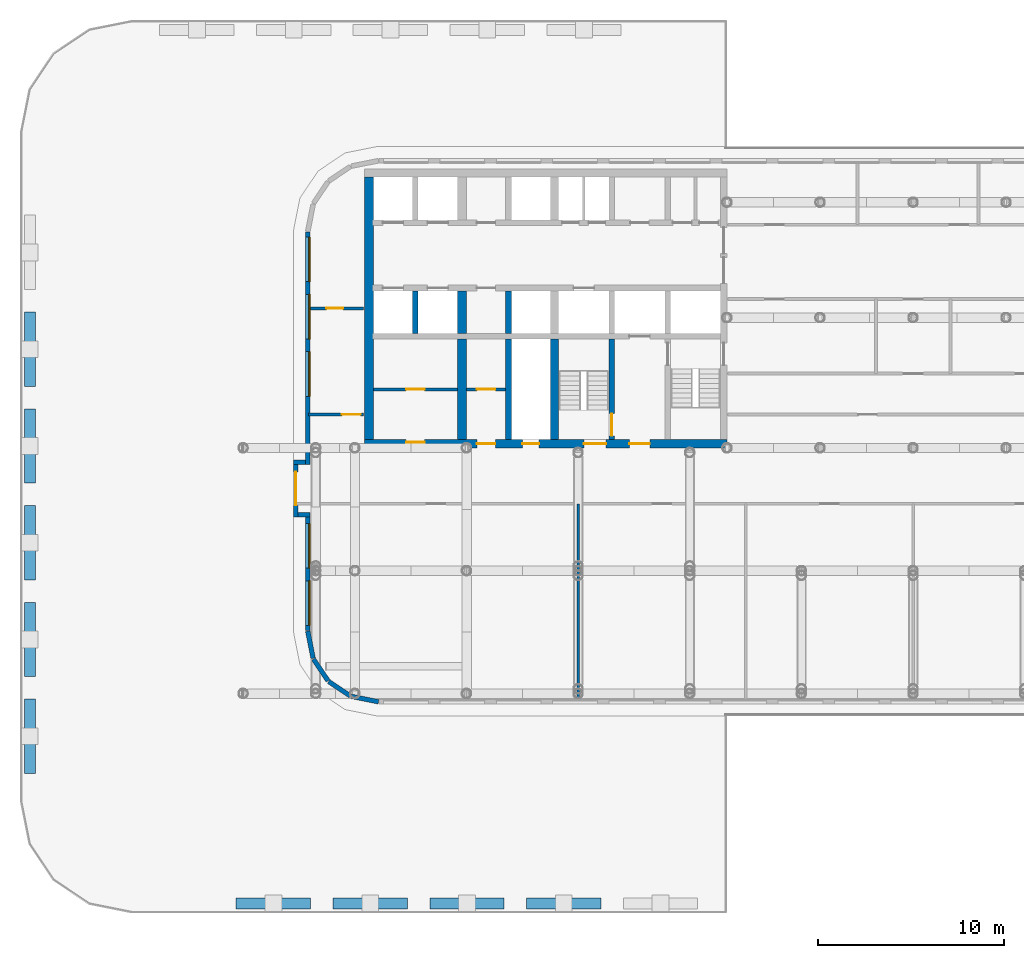
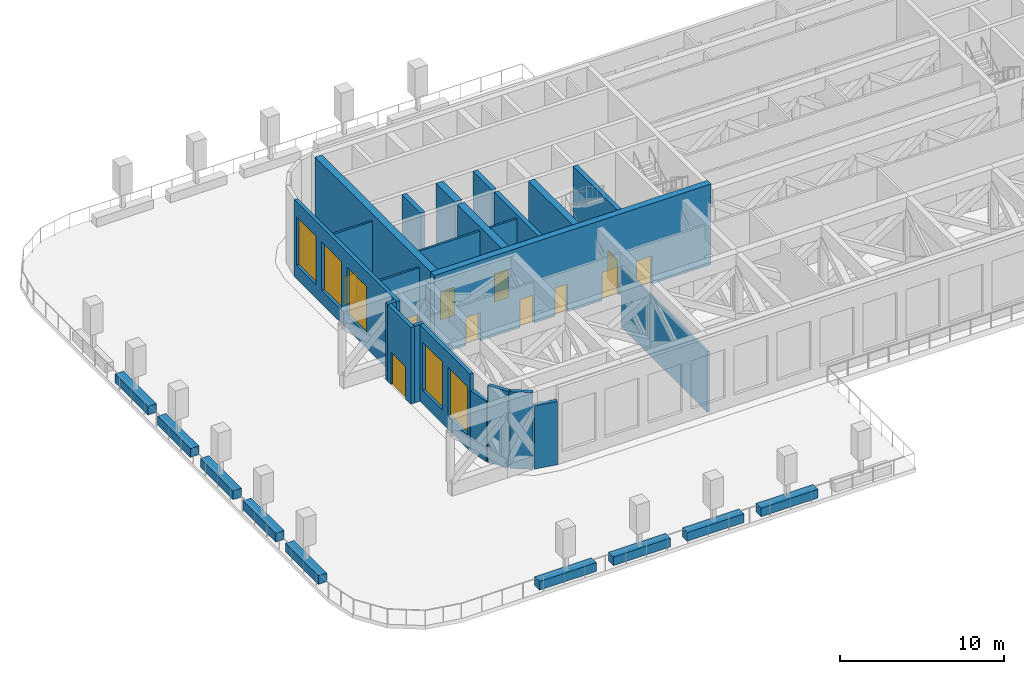
# One storey, part 9 of 20: 32 walls, 11 doors, 5 windows, 16 openings.
"""IFC4 building model written with IfcOpenShell, lengths in metres."""

from ifc_helpers import new_model, si_unit, direction, frame, frame_2d, origin, place, context, subcontext, project, spatial, rectangle, extrude, material, layer, layer_set, type_object, element, fill, save


model = new_model("IFC4")

# Units and contexts
model_context = context("Model", 3, precision=1e-05, world=origin(), true_north=direction((0.0, 1.0)))
body_context = subcontext(model_context, "Body", "Model", "MODEL_VIEW")
ifc_project = project(units=[si_unit("LENGTHUNIT", "METRE"), si_unit("AREAUNIT", "SQUARE_METRE"), si_unit("VOLUMEUNIT", "CUBIC_METRE"), si_unit("PLANEANGLEUNIT", "RADIAN"), si_unit("MASSUNIT", "GRAM", prefix="KILO")], contexts=[model_context])

# Site, building, storey
site_placement = place(None, origin())
site = spatial("IfcSite", under=ifc_project, at=site_placement, CompositionType="ELEMENT")
building_placement = place(site_placement, origin())
building = spatial("IfcBuilding", under=site, at=building_placement, Name="Torana Hotel and Residences", CompositionType="ELEMENT")
storey_placement = place(building_placement, frame((0.0, 0.0, 18.0)))
storey = spatial("IfcBuildingStorey", under=building, at=storey_placement, Name="L03", CompositionType="ELEMENT", Elevation=18.0)

# Wall, opening, door
ifc_material_1 = material(Name="Concrete C80/95", Category="concrete")
ifc_layer_1 = layer(ifc_material_1, 0.300048828125)
ifc_layer_set_1 = layer_set([ifc_layer_1], Name="CORE WALL 300 C80/95")
wall_type_1 = type_object("IfcWallType", Name="CORE WALL 300 C80/95", PredefinedType="SHEAR", material=ifc_layer_set_1)
wall_1_placement = place(storey_placement, frame((-16.199951171875, -14.550048828125, 0.0), z_axis=(0.0, 0.0, 1.0), x_axis=(0.0, 1.0, 0.0)))
wall_1 = element("IfcWall", 1, at=wall_1_placement, inside=storey, type_object=wall_type_1, Name="Core wall W x6.05-band", PredefinedType="SHEAR", context=body_context, shape_type="SweptSolid", body=[
    extrude(rectangle(XDim=5.400146484375, YDim=0.300048828125, at=frame_2d((2.7001953125, 0.0))), origin(), (0.0, 0.0, 1.0), 6.0),
])
opening_1_placement = place(wall_1_placement, frame((0.199951171875, 0.0, 0.0)))
opening_1 = element("IfcOpeningElement", 2, at=opening_1_placement, cuts=wall_1, Name="Opening L03-17", PredefinedType="OPENING", context=body_context, shape_type="SweptSolid", body=[
    extrude(rectangle(XDim=1.199951171875, YDim=2.10009765625, at=frame_2d((0.60009765625, 1.050048828125))), frame((0.0, 0.159912109375, 0.0), z_axis=(0.0, -1.0, 0.0), x_axis=(1.0, 0.0, 0.0)), (0.0, 0.0, 1.0), 0.320068359375),
])
ifc_material_2 = material(Name="Steel S235", Category="steel")
door_type_1 = type_object("IfcDoorType", Name="STAIR FIRE DOOR D3 1200x2100", OperationType="SINGLE_SWING_LEFT", PredefinedType="DOOR", material=ifc_material_2)
door_1_placement = place(opening_1_placement, origin())
door_1 = element("IfcDoor", 3, at=door_1_placement, inside=storey, type_object=door_type_1, Name="Stair-B-lobby door L03", OperationType="SINGLE_SWING_RIGHT", OverallHeight=2.10009765625, OverallWidth=1.199951171875, PredefinedType="DOOR", context=body_context, shape_type="SweptSolid", body=[
    extrude(rectangle(XDim=1.199951171875, YDim=2.10009765625, at=frame_2d((0.60009765625, 1.050048828125))), frame((0.0, 0.02490234375, 0.0), z_axis=(0.0, -1.0, 0.0), x_axis=(1.0, 0.0, 0.0)), (0.0, 0.0, 1.0), 0.050048828125),
])
fill(opening_1, door_1)

# Walls
wall_2_placement = place(storey_placement, frame((-21.75, -8.85009765625, 0.0), z_axis=(0.0, 0.0, 1.0), x_axis=(0.0, 1.0, 0.0)))
element("IfcWall", 4, at=wall_2_placement, inside=storey, type_object=wall_type_1, Name="Core wall W mm-S", PredefinedType="SHEAR", context=body_context, shape_type="SweptSolid", body=[
    extrude(rectangle(XDim=2.300048828125, YDim=0.300048828125, at=frame_2d((1.14990234375, 0.0))), origin(), (0.0, 0.0, 1.0), 6.0),
])
wall_3_placement = place(storey_placement, frame((-21.75, -14.550048828125, 0.0), z_axis=(0.0, 0.0, 1.0), x_axis=(0.0, 1.0, 0.0)))
element("IfcWall", 5, at=wall_3_placement, inside=storey, type_object=wall_type_1, Name="Core wall W mm-band", PredefinedType="SHEAR", context=body_context, shape_type="SweptSolid", body=[
    extrude(rectangle(XDim=5.400146484375, YDim=0.300048828125, at=frame_2d((2.7001953125, 0.0))), origin(), (0.0, 0.0, 1.0), 6.0),
])
wall_4_placement = place(storey_placement, frame((-26.75, -8.85009765625, 0.0), z_axis=(0.0, 0.0, 1.0), x_axis=(0.0, 1.0, 0.0)))
element("IfcWall", 6, at=wall_4_placement, inside=storey, type_object=wall_type_1, Name="Core wall W ll-S", PredefinedType="SHEAR", context=body_context, shape_type="SweptSolid", body=[
    extrude(rectangle(XDim=2.300048828125, YDim=0.300048828125, at=frame_2d((1.14990234375, 0.0))), origin(), (0.0, 0.0, 1.0), 6.0),
])

# Wall, openings, doors
ifc_material_3 = material(Name="Concrete C80/95", Category="concrete")
ifc_layer_2 = layer(ifc_material_3, 0.449951171875)
ifc_layer_set_2 = layer_set([ifc_layer_2], Name="CORE WALL 450 C80/95")
wall_type_2 = type_object("IfcWallType", Name="CORE WALL 450 C80/95", PredefinedType="SHEAR", material=ifc_layer_set_2)
wall_5_placement = place(storey_placement, frame((-29.5, -14.77490234375, 0.0), z_axis=(0.0, 0.0, 1.0), x_axis=(1.0, 0.0, 0.0)))
wall_5 = element("IfcWall", 7, at=wall_5_placement, inside=storey, type_object=wall_type_2, Name="Core wall W front", PredefinedType="SHEAR", context=body_context, shape_type="SweptSolid", body=[
    extrude(rectangle(XDim=19.5, YDim=0.449951171875, at=frame_2d((9.75, 0.0))), origin(), (0.0, 0.0, 1.0), 6.0),
])
opening_2_placement = place(wall_5_placement, frame((11.800048828125, 0.0, 0.0)))
opening_2 = element("IfcOpeningElement", 8, at=opening_2_placement, cuts=wall_5, Name="Opening L03-04", PredefinedType="OPENING", context=body_context, shape_type="SweptSolid", body=[
    extrude(rectangle(XDim=1.199951171875, YDim=2.10009765625, at=frame_2d((0.60009765625, 1.050048828125))), frame((0.0, 0.23486328125, 0.0), z_axis=(0.0, -1.0, 0.0), x_axis=(1.0, 0.0, 0.0)), (0.0, 0.0, 1.0), 0.469970703125),
])
opening_3_placement = place(wall_5_placement, frame((14.25, 0.0, 0.0)))
opening_3 = element("IfcOpeningElement", 9, at=opening_3_placement, cuts=wall_5, Name="Opening L03-05", PredefinedType="OPENING", context=body_context, shape_type="SweptSolid", body=[
    extrude(rectangle(XDim=1.10009765625, YDim=2.10009765625, at=frame_2d((0.550048828125, 1.050048828125))), frame((0.0, 0.23486328125, 0.0), z_axis=(0.0, -1.0, 0.0), x_axis=(1.0, 0.0, 0.0)), (0.0, 0.0, 1.0), 0.469970703125),
])
opening_4_placement = place(wall_5_placement, frame((8.5, 0.0, 0.0)))
opening_4 = element("IfcOpeningElement", 10, at=opening_4_placement, cuts=wall_5, Name="Opening L03-06", PredefinedType="OPENING", context=body_context, shape_type="SweptSolid", body=[
    extrude(rectangle(XDim=0.89990234375, YDim=2.10009765625, at=frame_2d((0.449951171875, 1.050048828125))), frame((0.0, 0.23486328125, 0.0), z_axis=(0.0, -1.0, 0.0), x_axis=(1.0, 0.0, 0.0)), (0.0, 0.0, 1.0), 0.469970703125),
])
opening_5_placement = place(wall_5_placement, frame((6.050048828125, 0.0, 0.0)))
opening_5 = element("IfcOpeningElement", 11, at=opening_5_placement, cuts=wall_5, Name="Opening L03-07", PredefinedType="OPENING", context=body_context, shape_type="SweptSolid", body=[
    extrude(rectangle(XDim=1.0, YDim=2.10009765625, at=frame_2d((0.5, 1.050048828125))), frame((0.0, 0.23486328125, 0.0), z_axis=(0.0, -1.0, 0.0), x_axis=(1.0, 0.0, 0.0)), (0.0, 0.0, 1.0), 0.469970703125),
])
opening_6_placement = place(wall_5_placement, frame((2.25, 0.0, 0.0)))
opening_6 = element("IfcOpeningElement", 12, at=opening_6_placement, cuts=wall_5, Name="Opening L03-08", PredefinedType="OPENING", context=body_context, shape_type="SweptSolid", body=[
    extrude(rectangle(XDim=1.0, YDim=2.10009765625, at=frame_2d((0.5, 1.050048828125))), frame((0.0, 0.23486328125, 0.0), z_axis=(0.0, -1.0, 0.0), x_axis=(1.0, 0.0, 0.0)), (0.0, 0.0, 1.0), 0.469970703125),
])
ifc_material_4 = material(Name="Steel S235", Category="steel")
door_type_2 = type_object("IfcDoorType", Name="CORE ROOM FIRE DOOR D14 1000x2100", OperationType="SINGLE_SWING_LEFT", PredefinedType="DOOR", material=ifc_material_4)
door_2_placement = place(opening_5_placement, origin())
door_2 = element("IfcDoor", 13, at=door_2_placement, inside=storey, type_object=door_type_2, Name="M-Room-B door L03", OperationType="SINGLE_SWING_RIGHT", OverallHeight=2.10009765625, OverallWidth=1.0, PredefinedType="DOOR", context=body_context, shape_type="SweptSolid", body=[
    extrude(rectangle(XDim=1.0, YDim=2.10009765625, at=frame_2d((0.5, 1.050048828125))), frame((0.0, 0.02490234375, 0.0), z_axis=(0.0, -1.0, 0.0), x_axis=(1.0, 0.0, 0.0)), (0.0, 0.0, 1.0), 0.050048828125),
])
fill(opening_5, door_2)
door_3_placement = place(opening_6_placement, origin())
door_3 = element("IfcDoor", 14, at=door_3_placement, inside=storey, type_object=door_type_2, Name="L-B door L03", OperationType="SINGLE_SWING_RIGHT", OverallHeight=2.10009765625, OverallWidth=1.0, PredefinedType="DOOR", context=body_context, shape_type="SweptSolid", body=[
    extrude(rectangle(XDim=1.0, YDim=2.10009765625, at=frame_2d((0.5, 1.050048828125))), frame((0.0, 0.10498046875, 0.0), z_axis=(0.0, -1.0, 0.0), x_axis=(1.0, 0.0, 0.0)), (0.0, 0.0, 1.0), 0.050048828125),
])
fill(opening_6, door_3)
ifc_material_5 = material(Name="Steel S235", Category="steel")
door_type_3 = type_object("IfcDoorType", Name="FIRE-FIGHTING LOBBY DOOR D8 1100x2100", OperationType="SINGLE_SWING_LEFT", PredefinedType="DOOR", material=ifc_material_5)
door_4_placement = place(opening_3_placement, origin())
door_4 = element("IfcDoor", 15, at=door_4_placement, inside=storey, type_object=door_type_3, Name="FF-lobby door L03", OperationType="SINGLE_SWING_RIGHT", OverallHeight=2.10009765625, OverallWidth=1.10009765625, PredefinedType="DOOR", context=body_context, shape_type="SweptSolid", body=[
    extrude(rectangle(XDim=1.10009765625, YDim=2.10009765625, at=frame_2d((0.550048828125, 1.050048828125))), frame((0.0, 0.02490234375, 0.0), z_axis=(0.0, -1.0, 0.0), x_axis=(1.0, 0.0, 0.0)), (0.0, 0.0, 1.0), 0.050048828125),
])
fill(opening_3, door_4)
ifc_material_6 = material(Name="Steel S235", Category="steel")
door_type_4 = type_object("IfcDoorType", Name="RISER ACCESS DOOR D5 900x2100", OperationType="SINGLE_SWING_LEFT", PredefinedType="DOOR", material=ifc_material_6)
door_5_placement = place(opening_4_placement, origin())
door_5 = element("IfcDoor", 16, at=door_5_placement, inside=storey, type_object=door_type_4, Name="M-Riser door L03", OperationType="SINGLE_SWING_RIGHT", OverallHeight=2.10009765625, OverallWidth=0.89990234375, PredefinedType="DOOR", context=body_context, shape_type="SweptSolid", body=[
    extrude(rectangle(XDim=0.89990234375, YDim=2.10009765625, at=frame_2d((0.449951171875, 1.050048828125))), frame((0.0, 0.02490234375, 0.0), z_axis=(0.0, -1.0, 0.0), x_axis=(1.0, 0.0, 0.0)), (0.0, 0.0, 1.0), 0.050048828125),
])
fill(opening_4, door_5)
door_6_placement = place(opening_2_placement, origin())
door_6 = element("IfcDoor", 17, at=door_6_placement, inside=storey, type_object=door_type_1, Name="Stair-B door L03", OperationType="SINGLE_SWING_LEFT", OverallHeight=2.10009765625, OverallWidth=1.199951171875, PredefinedType="DOOR", context=body_context, shape_type="SweptSolid", body=[
    extrude(rectangle(XDim=1.199951171875, YDim=2.10009765625, at=frame_2d((0.60009765625, 1.050048828125))), frame((0.0, 0.02490234375, 0.0), z_axis=(0.0, -1.0, 0.0), x_axis=(1.0, 0.0, 0.0)), (0.0, 0.0, 1.0), 0.050048828125),
])
fill(opening_2, door_6)

# Walls
wall_6_placement = place(storey_placement, frame((-19.27490234375, -14.550048828125, 0.0), z_axis=(0.0, 0.0, 1.0), x_axis=(0.0, 1.0, 0.0)))
element("IfcWall", 18, at=wall_6_placement, inside=storey, type_object=wall_type_2, Name="Core wall W hm-band", PredefinedType="SHEAR", context=body_context, shape_type="SweptSolid", body=[
    extrude(rectangle(XDim=5.400146484375, YDim=0.449951171875, at=frame_2d((2.7001953125, 0.0))), origin(), (0.0, 0.0, 1.0), 6.0),
])
ifc_material_7 = material(Name="Concrete C80/95", Category="concrete")
ifc_layer_3 = layer(ifc_material_7, 0.5)
ifc_layer_set_3 = layer_set([ifc_layer_3], Name="CORE WALL 500 C80/95")
wall_type_3 = type_object("IfcWallType", Name="CORE WALL 500 C80/95", PredefinedType="SHEAR", material=ifc_layer_set_3)
wall_7_placement = place(storey_placement, frame((-29.25, -14.550048828125, 0.0), z_axis=(0.0, 0.0, 1.0), x_axis=(0.0, 1.0, 0.0)))
element("IfcWall", 19, at=wall_7_placement, inside=storey, type_object=wall_type_3, Name="Core wall W outer", PredefinedType="SHEAR", context=body_context, shape_type="SweptSolid", body=[
    extrude(rectangle(XDim=14.10009765625, YDim=0.5, at=frame_2d((7.050048828125, 0.0))), origin(), (0.0, 0.0, 1.0), 6.0),
])
wall_8_placement = place(storey_placement, frame((-24.25, -8.85009765625, 0.0), z_axis=(0.0, 0.0, 1.0), x_axis=(0.0, 1.0, 0.0)))
element("IfcWall", 20, at=wall_8_placement, inside=storey, type_object=wall_type_3, Name="Core wall W ml-S", PredefinedType="SHEAR", context=body_context, shape_type="SweptSolid", body=[
    extrude(rectangle(XDim=2.300048828125, YDim=0.5, at=frame_2d((1.14990234375, 0.0))), origin(), (0.0, 0.0, 1.0), 6.0),
])
wall_9_placement = place(storey_placement, frame((-24.25, -14.550048828125, 0.0), z_axis=(0.0, 0.0, 1.0), x_axis=(0.0, 1.0, 0.0)))
element("IfcWall", 21, at=wall_9_placement, inside=storey, type_object=wall_type_3, Name="Core wall W ml-band", PredefinedType="SHEAR", context=body_context, shape_type="SweptSolid", body=[
    extrude(rectangle(XDim=5.400146484375, YDim=0.5, at=frame_2d((2.7001953125, 0.0))), origin(), (0.0, 0.0, 1.0), 6.0),
])

# Wall, openings, windows
ifc_material_8 = material(Name="Aluminium louvre wall", Category="aluminium")
ifc_layer_4 = layer(ifc_material_8, 0.25)
ifc_layer_set_4 = layer_set([ifc_layer_4], Name="EW3 LOUVRE WALL 250")
wall_type_4 = type_object("IfcWallType", Name="EW3 LOUVRE WALL 250", PredefinedType="SOLIDWALL", material=ifc_layer_set_4)
wall_10_placement = place(storey_placement, frame((-32.5390625, -3.38720703125, 0.0), z_axis=(0.0, 0.0, 1.0), x_axis=(0.0, -1.0, 0.0)))
wall_10 = element("IfcWall", 22, at=wall_10_placement, inside=storey, type_object=wall_type_4, Name="Louvre wall L03 e0.9a", PredefinedType="SOLIDWALL", context=body_context, shape_type="SweptSolid", body=[
    extrude(rectangle(XDim=12.502197265625, YDim=0.25, at=frame_2d((6.2509765625, 0.0))), origin(), (0.0, 0.0, 1.0), 5.719970703125),
])
opening_7_placement = place(wall_10_placement, frame((0.276611328125, 0.0, 1.0048828125)))
opening_7 = element("IfcOpeningElement", 23, at=opening_7_placement, cuts=wall_10, Name="Opening LV2", PredefinedType="OPENING", context=body_context, shape_type="SweptSolid", body=[
    extrude(rectangle(XDim=2.39990234375, YDim=3.60009765625, at=frame_2d((1.199951171875, 1.800048828125))), frame((0.0, 0.135009765625, 0.0), z_axis=(0.0, -1.0, 0.0), x_axis=(1.0, 0.0, 0.0)), (0.0, 0.0, 1.0), 0.27001953125),
])
opening_8_placement = place(wall_10_placement, frame((3.35546875, 0.0, 1.0048828125)))
opening_8 = element("IfcOpeningElement", 24, at=opening_8_placement, cuts=wall_10, Name="Opening LV2", PredefinedType="OPENING", context=body_context, shape_type="SweptSolid", body=[
    extrude(rectangle(XDim=2.39990234375, YDim=3.60009765625, at=frame_2d((1.199951171875, 1.800048828125))), frame((0.0, 0.135009765625, 0.0), z_axis=(0.0, -1.0, 0.0), x_axis=(1.0, 0.0, 0.0)), (0.0, 0.0, 1.0), 0.27001953125),
])
opening_9_placement = place(wall_10_placement, frame((6.43408203125, 0.0, 1.0048828125)))
opening_9 = element("IfcOpeningElement", 25, at=opening_9_placement, cuts=wall_10, Name="Opening LV2", PredefinedType="OPENING", context=body_context, shape_type="SweptSolid", body=[
    extrude(rectangle(XDim=2.39990234375, YDim=3.60009765625, at=frame_2d((1.199951171875, 1.800048828125))), frame((0.0, 0.135009765625, 0.0), z_axis=(0.0, -1.0, 0.0), x_axis=(1.0, 0.0, 0.0)), (0.0, 0.0, 1.0), 0.27001953125),
])
ifc_material_9 = material(Name="Aluminium louvre blades", Category="aluminium")
window_type = type_object("IfcWindowType", Name="LV2 LOUVRE 2400x3600", PartitioningType="SINGLE_PANEL", PredefinedType="USERDEFINED", material=ifc_material_9)
window_1_placement = place(opening_7_placement, origin())
window_1 = element("IfcWindow", 26, at=window_1_placement, inside=storey, type_object=window_type, Name="Louvre L03", ObjectType="LOUVRE", OverallHeight=3.60009765625, OverallWidth=2.39990234375, PartitioningType="SINGLE_PANEL", PredefinedType="USERDEFINED", context=body_context, shape_type="SweptSolid", body=[
    extrude(rectangle(XDim=2.39990234375, YDim=3.60009765625, at=frame_2d((1.199951171875, 1.800048828125))), frame((0.0, 0.125, 0.0), z_axis=(0.0, -1.0, 0.0), x_axis=(1.0, 0.0, 0.0)), (0.0, 0.0, 1.0), 0.06005859375),
])
fill(opening_7, window_1)
window_2_placement = place(opening_8_placement, origin())
window_2 = element("IfcWindow", 27, at=window_2_placement, inside=storey, type_object=window_type, Name="Louvre L03", ObjectType="LOUVRE", OverallHeight=3.60009765625, OverallWidth=2.39990234375, PartitioningType="SINGLE_PANEL", PredefinedType="USERDEFINED", context=body_context, shape_type="SweptSolid", body=[
    extrude(rectangle(XDim=2.39990234375, YDim=3.60009765625, at=frame_2d((1.199951171875, 1.800048828125))), frame((0.0, 0.125, 0.0), z_axis=(0.0, -1.0, 0.0), x_axis=(1.0, 0.0, 0.0)), (0.0, 0.0, 1.0), 0.06005859375),
])
fill(opening_8, window_2)
window_3_placement = place(opening_9_placement, origin())
window_3 = element("IfcWindow", 28, at=window_3_placement, inside=storey, type_object=window_type, Name="Louvre L03", ObjectType="LOUVRE", OverallHeight=3.60009765625, OverallWidth=2.39990234375, PartitioningType="SINGLE_PANEL", PredefinedType="USERDEFINED", context=body_context, shape_type="SweptSolid", body=[
    extrude(rectangle(XDim=2.39990234375, YDim=3.60009765625, at=frame_2d((1.199951171875, 1.800048828125))), frame((0.0, 0.125, 0.0), z_axis=(0.0, -1.0, 0.0), x_axis=(1.0, 0.0, 0.0)), (0.0, 0.0, 1.0), 0.06005859375),
])
fill(opening_9, window_3)

# Wall
wall_11_placement = place(storey_placement, frame((-32.6640625, -15.764404296875, 0.0), z_axis=(0.0, 0.0, 1.0), x_axis=(-1.0, 0.0, 0.0)))
element("IfcWall", 29, at=wall_11_placement, inside=storey, type_object=wall_type_4, Name="Louvre wall L03 e0.9r1", PredefinedType="SOLIDWALL", context=body_context, shape_type="SweptSolid", body=[
    extrude(rectangle(XDim=0.635986328125, YDim=0.25, at=frame_2d((0.31787109375, 0.0))), origin(), (0.0, 0.0, 1.0), 5.719970703125),
])

# Wall, opening, door
wall_12_placement = place(storey_placement, frame((-33.175048828125, -15.889404296875, 0.0), z_axis=(0.0, 0.0, 1.0), x_axis=(0.0, -1.0, 0.0)))
wall_12 = element("IfcWall", 30, at=wall_12_placement, inside=storey, type_object=wall_type_4, Name="Louvre wall L03 e0.9b", PredefinedType="SOLIDWALL", context=body_context, shape_type="SweptSolid", body=[
    extrude(rectangle(XDim=2.82861328125, YDim=0.25, at=frame_2d((1.414306640625, 0.0))), origin(), (0.0, 0.0, 1.0), 5.719970703125),
])
opening_10_placement = place(wall_12_placement, frame((0.389404296875, 0.0, 0.0)))
opening_10 = element("IfcOpeningElement", 31, at=opening_10_placement, cuts=wall_12, Name="Opening L03-E01", PredefinedType="OPENING", context=body_context, shape_type="SweptSolid", body=[
    extrude(rectangle(XDim=1.800048828125, YDim=2.39990234375, at=frame_2d((0.89990234375, 1.199951171875))), frame((0.0, 0.135009765625, 0.0), z_axis=(0.0, -1.0, 0.0), x_axis=(1.0, 0.0, 0.0)), (0.0, 0.0, 1.0), 0.27001953125),
])
ifc_material_10 = material(Name="Dark glass in black aluminium frame", Category="aluminium")
door_type_5 = type_object("IfcDoorType", Name="DE2 TERRACE DOOR 1800x2400", OperationType="DOUBLE_DOOR_SINGLE_SWING", PredefinedType="DOOR", material=ifc_material_10)
door_7_placement = place(opening_10_placement, origin())
door_7 = element("IfcDoor", 32, at=door_7_placement, inside=storey, type_object=door_type_5, Name="Terrace door L03", OperationType="DOUBLE_DOOR_SINGLE_SWING", OverallHeight=2.39990234375, OverallWidth=1.800048828125, PredefinedType="DOOR", context=body_context, shape_type="SweptSolid", body=[
    extrude(rectangle(XDim=1.800048828125, YDim=2.39990234375, at=frame_2d((0.89990234375, 1.199951171875))), frame((0.0, 0.02490234375, 0.0), z_axis=(0.0, -1.0, 0.0), x_axis=(1.0, 0.0, 0.0)), (0.0, 0.0, 1.0), 0.050048828125),
])
fill(opening_10, door_7)

# Wall
wall_13_placement = place(storey_placement, frame((-33.050048828125, -18.593017578125, 0.0), z_axis=(0.0, 0.0, 1.0), x_axis=(1.0, 0.0, 0.0)))
element("IfcWall", 33, at=wall_13_placement, inside=storey, type_object=wall_type_4, Name="Louvre wall L03 e0.9r2", PredefinedType="SOLIDWALL", context=body_context, shape_type="SweptSolid", body=[
    extrude(rectangle(XDim=0.635986328125, YDim=0.25, at=frame_2d((0.31787109375, 0.0))), origin(), (0.0, 0.0, 1.0), 5.719970703125),
])

# Wall, openings, windows
wall_14_placement = place(storey_placement, frame((-32.5390625, -18.718017578125, 0.0), z_axis=(0.0, 0.0, 1.0), x_axis=(0.0, -1.0, 0.0)))
wall_14 = element("IfcWall", 34, at=wall_14_placement, inside=storey, type_object=wall_type_4, Name="Louvre wall L03 e0.9c", PredefinedType="SOLIDWALL", context=body_context, shape_type="SweptSolid", body=[
    extrude(rectangle(XDim=6.0947265625, YDim=0.25, at=frame_2d((3.04736328125, 0.0))), origin(), (0.0, 0.0, 1.0), 5.719970703125),
])
opening_11_placement = place(wall_14_placement, frame((0.33935546875, 0.0, 1.0048828125)))
opening_11 = element("IfcOpeningElement", 35, at=opening_11_placement, cuts=wall_14, Name="Opening LV2", PredefinedType="OPENING", context=body_context, shape_type="SweptSolid", body=[
    extrude(rectangle(XDim=2.39990234375, YDim=3.60009765625, at=frame_2d((1.199951171875, 1.800048828125))), frame((0.0, 0.135009765625, 0.0), z_axis=(0.0, -1.0, 0.0), x_axis=(1.0, 0.0, 0.0)), (0.0, 0.0, 1.0), 0.27001953125),
])
opening_12_placement = place(wall_14_placement, frame((3.41796875, 0.0, 1.0048828125)))
opening_12 = element("IfcOpeningElement", 36, at=opening_12_placement, cuts=wall_14, Name="Opening LV2", PredefinedType="OPENING", context=body_context, shape_type="SweptSolid", body=[
    extrude(rectangle(XDim=2.39990234375, YDim=3.60009765625, at=frame_2d((1.199951171875, 1.800048828125))), frame((0.0, 0.135009765625, 0.0), z_axis=(0.0, -1.0, 0.0), x_axis=(1.0, 0.0, 0.0)), (0.0, 0.0, 1.0), 0.27001953125),
])
window_4_placement = place(opening_11_placement, origin())
window_4 = element("IfcWindow", 37, at=window_4_placement, inside=storey, type_object=window_type, Name="Louvre L03", ObjectType="LOUVRE", OverallHeight=3.60009765625, OverallWidth=2.39990234375, PartitioningType="SINGLE_PANEL", PredefinedType="USERDEFINED", context=body_context, shape_type="SweptSolid", body=[
    extrude(rectangle(XDim=2.39990234375, YDim=3.60009765625, at=frame_2d((1.199951171875, 1.800048828125))), frame((0.0, 0.125, 0.0), z_axis=(0.0, -1.0, 0.0), x_axis=(1.0, 0.0, 0.0)), (0.0, 0.0, 1.0), 0.06005859375),
])
fill(opening_11, window_4)
window_5_placement = place(opening_12_placement, origin())
window_5 = element("IfcWindow", 38, at=window_5_placement, inside=storey, type_object=window_type, Name="Louvre L03", ObjectType="LOUVRE", OverallHeight=3.60009765625, OverallWidth=2.39990234375, PartitioningType="SINGLE_PANEL", PredefinedType="USERDEFINED", context=body_context, shape_type="SweptSolid", body=[
    extrude(rectangle(XDim=2.39990234375, YDim=3.60009765625, at=frame_2d((1.199951171875, 1.800048828125))), frame((0.0, 0.125, 0.0), z_axis=(0.0, -1.0, 0.0), x_axis=(1.0, 0.0, 0.0)), (0.0, 0.0, 1.0), 0.06005859375),
])
fill(opening_12, window_5)

# Walls
wall_15_placement = place(storey_placement, frame((-32.53662109375, -24.837158203125, 0.0), z_axis=(0.0, 0.0, 1.0), x_axis=(0.195014837095, -0.980800292268, 0.0)))
element("IfcWall", 39, at=wall_15_placement, inside=storey, type_object=wall_type_4, Name="Louvre wall L03 e0.10", PredefinedType="SOLIDWALL", context=body_context, shape_type="SweptSolid", body=[
    extrude(rectangle(XDim=1.4921875, YDim=0.25, at=frame_2d((0.74609375, 0.0))), origin(), (0.0, 0.0, 1.0), 4.52001953125),
])
for number, where, z_axis, x_axis, name in (
    (40, (-32.226806640625, -26.345947265625, 0.0), (0.0, 0.0, 1.0), (0.555543083115, -0.831487752648, 0.0), "Louvre wall L03 e0.11"),
    (41, (-31.41259765625, -27.547119140625, 0.0), (0.0, 0.0, 1.0), (0.831407382002, -0.555663355956, 0.0), "Louvre wall L03 e0.12"),
):
    element("IfcWall", number, at=place(storey_placement, frame(where, z_axis=z_axis, x_axis=x_axis)), inside=storey, type_object=wall_type_4, Name=name, PredefinedType="SOLIDWALL", context=body_context, shape_type="SweptSolid", body=[
        extrude(rectangle(XDim=1.4033203125, YDim=0.25, at=frame_2d((0.70166015625, 0.0))), origin(), (0.0, 0.0, 1.0), 5.719970703125),
    ])
wall_16_placement = place(storey_placement, frame((-30.20068359375, -28.345458984375, 0.0), z_axis=(0.0, 0.0, 1.0), x_axis=(0.980768988185, -0.19517221066, 0.0)))
element("IfcWall", 42, at=wall_16_placement, inside=storey, type_object=wall_type_4, Name="Louvre wall L03 e0.13", PredefinedType="SOLIDWALL", context=body_context, shape_type="SweptSolid", body=[
    extrude(rectangle(XDim=1.492431640625, YDim=0.25, at=frame_2d((0.74609375, 0.0))), origin(), (0.0, 0.0, 1.0), 4.719970703125),
])

# Wall, opening, door
ifc_material_11 = material(Name="Gypsum plaster")
ifc_layer_5 = layer(ifc_material_11, 0.014892578125, Name="Plaster", Category="finish")
ifc_material_12 = material(Name="Concrete blockwork", Category="masonry")
ifc_layer_6 = layer(ifc_material_12, 0.1201171875, Name="Blockwork", Category="structure")
ifc_layer_7 = layer(ifc_material_11, 0.014892578125, Name="Plaster", Category="finish")
ifc_layer_set_5 = layer_set([ifc_layer_5, ifc_layer_6, ifc_layer_7], Name="FIRE PARTITION 150 BLOCKWORK")
wall_type_5 = type_object("IfcWallType", Name="FIRE PARTITION 150 BLOCKWORK", PredefinedType="PARTITIONING", material=ifc_layer_set_5)
wall_17_placement = place(storey_placement, frame((-24.0, -11.85009765625, 0.0), z_axis=(0.0, 0.0, 1.0), x_axis=(1.0, 0.0, 0.0)))
wall_17 = element("IfcWall", 43, at=wall_17_placement, inside=storey, type_object=wall_type_5, Name="Core partition L03", PredefinedType="PARTITIONING", context=body_context, shape_type="SweptSolid", body=[
    extrude(rectangle(XDim=2.10009765625, YDim=0.14990234375, at=frame_2d((1.050048828125, 0.0))), origin(), (0.0, 0.0, 1.0), 5.699951171875),
])
opening_13_placement = place(wall_17_placement, frame((0.550048828125, 0.0, 0.0)))
opening_13 = element("IfcOpeningElement", 44, at=opening_13_placement, cuts=wall_17, Name="Opening L03-35", PredefinedType="OPENING", context=body_context, shape_type="SweptSolid", body=[
    extrude(rectangle(XDim=1.0, YDim=2.10009765625, at=frame_2d((0.5, 1.050048828125))), frame((0.0, 0.0849609375, 0.0), z_axis=(0.0, -1.0, 0.0), x_axis=(1.0, 0.0, 0.0)), (0.0, 0.0, 1.0), 0.169921875),
])
door_8_placement = place(opening_13_placement, origin())
door_8 = element("IfcDoor", 45, at=door_8_placement, inside=storey, type_object=door_type_2, Name="Plant room door L03", OperationType="SINGLE_SWING_RIGHT", OverallHeight=2.10009765625, OverallWidth=1.0, PredefinedType="DOOR", context=body_context, shape_type="SweptSolid", body=[
    extrude(rectangle(XDim=1.0, YDim=2.10009765625, at=frame_2d((0.5, 1.050048828125))), frame((0.0, 0.02490234375, 0.0), z_axis=(0.0, -1.0, 0.0), x_axis=(1.0, 0.0, 0.0)), (0.0, 0.0, 1.0), 0.050048828125),
])
fill(opening_13, door_8)

wall_18_placement = place(storey_placement, frame((-29.0, -11.85009765625, 0.0), z_axis=(0.0, 0.0, 1.0), x_axis=(1.0, 0.0, 0.0)))
wall_18 = element("IfcWall", 46, at=wall_18_placement, inside=storey, type_object=wall_type_5, Name="Core partition L03", PredefinedType="PARTITIONING", context=body_context, shape_type="SweptSolid", body=[
    extrude(rectangle(XDim=4.5, YDim=0.14990234375, at=frame_2d((2.25, 0.0))), origin(), (0.0, 0.0, 1.0), 5.699951171875),
])
opening_14_placement = place(wall_18_placement, frame((1.75, 0.0, 0.0)))
opening_14 = element("IfcOpeningElement", 47, at=opening_14_placement, cuts=wall_18, Name="Opening L03-36", PredefinedType="OPENING", context=body_context, shape_type="SweptSolid", body=[
    extrude(rectangle(XDim=1.0, YDim=2.10009765625, at=frame_2d((0.5, 1.050048828125))), frame((0.0, 0.0849609375, 0.0), z_axis=(0.0, -1.0, 0.0), x_axis=(1.0, 0.0, 0.0)), (0.0, 0.0, 1.0), 0.169921875),
])
door_9_placement = place(opening_14_placement, origin())
door_9 = element("IfcDoor", 48, at=door_9_placement, inside=storey, type_object=door_type_2, Name="Plant room door L03", OperationType="SINGLE_SWING_RIGHT", OverallHeight=2.10009765625, OverallWidth=1.0, PredefinedType="DOOR", context=body_context, shape_type="SweptSolid", body=[
    extrude(rectangle(XDim=1.0, YDim=2.10009765625, at=frame_2d((0.5, 1.050048828125))), frame((0.0, 0.02490234375, 0.0), z_axis=(0.0, -1.0, 0.0), x_axis=(1.0, 0.0, 0.0)), (0.0, 0.0, 1.0), 0.050048828125),
])
fill(opening_14, door_9)

wall_19_placement = place(storey_placement, frame((-32.48388671875, -13.199951171875, 0.0), z_axis=(0.0, 0.0, 1.0), x_axis=(1.0, 0.0, 0.0)))
wall_19 = element("IfcWall", 49, at=wall_19_placement, inside=storey, type_object=wall_type_5, Name="Partition L03", PredefinedType="PARTITIONING", context=body_context, shape_type="SweptSolid", body=[
    extrude(rectangle(XDim=2.933837890625, YDim=0.14990234375, at=frame_2d((1.466796875, 0.0))), origin(), (0.0, 0.0, 1.0), 5.550048828125),
])
opening_15_placement = place(wall_19_placement, frame((1.783935546875, 0.0, 0.0)))
opening_15 = element("IfcOpeningElement", 50, at=opening_15_placement, cuts=wall_19, Name="Opening L03-46", PredefinedType="OPENING", context=body_context, shape_type="SweptSolid", body=[
    extrude(rectangle(XDim=1.0, YDim=2.10009765625, at=frame_2d((0.5, 1.050048828125))), frame((0.0, 0.0849609375, 0.0), z_axis=(0.0, -1.0, 0.0), x_axis=(1.0, 0.0, 0.0)), (0.0, 0.0, 1.0), 0.169921875),
])
door_10_placement = place(opening_15_placement, origin())
door_10 = element("IfcDoor", 51, at=door_10_placement, inside=storey, type_object=door_type_2, Name="Door L03", OperationType="SINGLE_SWING_LEFT", OverallHeight=2.10009765625, OverallWidth=1.0, PredefinedType="DOOR", context=body_context, shape_type="SweptSolid", body=[
    extrude(rectangle(XDim=1.0, YDim=2.10009765625, at=frame_2d((0.5, 1.050048828125))), frame((0.0, 0.02490234375, 0.0), z_axis=(0.0, -1.0, 0.0), x_axis=(1.0, 0.0, 0.0)), (0.0, 0.0, 1.0), 0.050048828125),
])
fill(opening_15, door_10)

# Wall
ifc_material_13 = material(Name="Gypsum plasterboard")
ifc_layer_8 = layer(ifc_material_13, 0.012451171875, Name="Plasterboard", Category="finish")
ifc_layer_9 = layer(ifc_material_13, 0.012451171875, Name="Plasterboard", Category="finish")
ifc_material_14 = material(Name="Steel S280GD", Category="steel")
ifc_layer_10 = layer(ifc_material_14, 0.10009765625, Name="Steel studs with mineral wool", Category="insulation")
ifc_layer_11 = layer(ifc_material_13, 0.012451171875, Name="Plasterboard", Category="finish")
ifc_layer_12 = layer(ifc_material_13, 0.012451171875, Name="Plasterboard", Category="finish")
ifc_layer_set_6 = layer_set([ifc_layer_8, ifc_layer_9, ifc_layer_10, ifc_layer_11, ifc_layer_12], Name="PARTITION 150 PLASTERBOARD")
wall_type_6 = type_object("IfcWallType", Name="PARTITION 150 PLASTERBOARD", PredefinedType="PARTITIONING", material=ifc_layer_set_6)
wall_20_placement = place(storey_placement, frame((-18.0, -28.512451171875, 0.0), z_axis=(0.0, 0.0, 1.0), x_axis=(0.0, 1.0, 0.0)))
element("IfcWall", 52, at=wall_20_placement, inside=storey, type_object=wall_type_6, Name="Partition L03", PredefinedType="PARTITIONING", context=body_context, shape_type="SweptSolid", body=[
    extrude(rectangle(XDim=10.512451171875, YDim=0.14990234375, at=frame_2d((5.25634765625, 0.0))), origin(), (0.0, 0.0, 1.0), 4.52001953125),
])

# Wall, opening, door
wall_21_placement = place(storey_placement, frame((-32.41259765625, -7.5, 0.0), z_axis=(0.0, 0.0, 1.0), x_axis=(1.0, 0.0, 0.0)))
wall_21 = element("IfcWall", 53, at=wall_21_placement, inside=storey, type_object=wall_type_6, Name="Partition L03", PredefinedType="PARTITIONING", context=body_context, shape_type="SweptSolid", body=[
    extrude(rectangle(XDim=2.862548828125, YDim=0.14990234375, at=frame_2d((1.43115234375, 0.0))), origin(), (0.0, 0.0, 1.0), 5.550048828125),
])
opening_16_placement = place(wall_21_placement, frame((0.880615234375, 0.0, 0.0)))
opening_16 = element("IfcOpeningElement", 54, at=opening_16_placement, cuts=wall_21, Name="Opening L03-55", PredefinedType="OPENING", context=body_context, shape_type="SweptSolid", body=[
    extrude(rectangle(XDim=0.89990234375, YDim=2.10009765625, at=frame_2d((0.449951171875, 1.050048828125))), frame((0.0, 0.0849609375, 0.0), z_axis=(0.0, -1.0, 0.0), x_axis=(1.0, 0.0, 0.0)), (0.0, 0.0, 1.0), 0.169921875),
])
ifc_material_15 = material(Name="Timber door, oiled ash", Category="wood")
door_type_6 = type_object("IfcDoorType", Name="ROOM DOOR D7 900x2100", OperationType="SINGLE_SWING_LEFT", PredefinedType="DOOR", material=ifc_material_15)
door_11_placement = place(opening_16_placement, origin())
door_11 = element("IfcDoor", 55, at=door_11_placement, inside=storey, type_object=door_type_6, Name="Door L03", OperationType="SINGLE_SWING_RIGHT", OverallHeight=2.10009765625, OverallWidth=0.89990234375, PredefinedType="DOOR", context=body_context, shape_type="SweptSolid", body=[
    extrude(rectangle(XDim=0.89990234375, YDim=2.10009765625, at=frame_2d((0.449951171875, 1.050048828125))), frame((0.0, 0.02490234375, 0.0), z_axis=(0.0, -1.0, 0.0), x_axis=(1.0, 0.0, 0.0)), (0.0, 0.0, 1.0), 0.050048828125),
])
fill(opening_16, door_11)

# Walls
ifc_material_16 = material(Name="Concrete C40/50 precast", Category="concrete")
ifc_layer_13 = layer(ifc_material_16, 0.10009765625, Name="Planter shell", Category="structure")
ifc_material_17 = material(Name="Root resistant membrane")
ifc_layer_14 = layer(ifc_material_17, 0.00390625, Name="Waterproofing membrane", Category="membrane")
ifc_material_18 = material(Name="Drainage board with filter fleece")
ifc_layer_15 = layer(ifc_material_18, 0.02001953125, Name="Drainage board", Category="drainage")
ifc_material_19 = material(Name="Growing medium")
ifc_layer_16 = layer(ifc_material_19, 0.47607421875, Name="Planting substrate", Category="soil")
ifc_layer_set_7 = layer_set([ifc_layer_13, ifc_layer_14, ifc_layer_15, ifc_layer_16], Name="PL1 BALCONY PLANTER 600")
wall_type_7 = type_object("IfcWallType", Name="PL1 BALCONY PLANTER 600", PredefinedType="USERDEFINED", material=ifc_layer_set_7)
for number, where, z_axis, x_axis, name in (
    (56, (-16.780029296875, -39.469970703125, 0.0), (0.0, 0.0, 1.0), (-1.0, 0.0, 0.0), "Planter L03 1.2"),
    (57, (-21.97998046875, -39.469970703125, 0.0), (0.0, 0.0, 1.0), (-1.0, 0.0, 0.0), "Planter L03 1.3"),
    (58, (-27.179931640625, -39.469970703125, 0.0), (0.0, 0.0, 1.0), (-1.0, 0.0, 0.0), "Planter L03 1.4"),
    (59, (-32.3798828125, -39.469970703125, 0.0), (0.0, 0.0, 1.0), (-1.0, 0.0, 0.0), "Planter L03 1.5"),
    (60, (-47.469970703125, -32.4921875, 0.0), (0.0, 0.0, 1.0), (0.0, 1.0, 0.0), "Planter L03 1.6"),
    (61, (-47.469970703125, -27.2919921875, 0.0), (0.0, 0.0, 1.0), (0.0, 1.0, 0.0), "Planter L03 1.7"),
    (62, (-47.469970703125, -22.092041015625, 0.0), (0.0, 0.0, 1.0), (0.0, 1.0, 0.0), "Planter L03 1.8"),
    (63, (-47.469970703125, -16.89208984375, 0.0), (0.0, 0.0, 1.0), (0.0, 1.0, 0.0), "Planter L03 1.9"),
    (64, (-47.469970703125, -11.692138671875, 0.0), (0.0, 0.0, 1.0), (0.0, 1.0, 0.0), "Planter L03 1.10"),
):
    element("IfcWall", number, at=place(storey_placement, frame(where, z_axis=z_axis, x_axis=x_axis)), inside=storey, type_object=wall_type_7, Name=name, ObjectType="PLANTER", PredefinedType="USERDEFINED", context=body_context, shape_type="SweptSolid", body=[
        extrude(rectangle(XDim=4.0, YDim=0.60009765625, at=frame_2d((2.0, 0.0))), origin(), (0.0, 0.0, 1.0), 0.64990234375),
    ])

save(model, "model.ifc")
